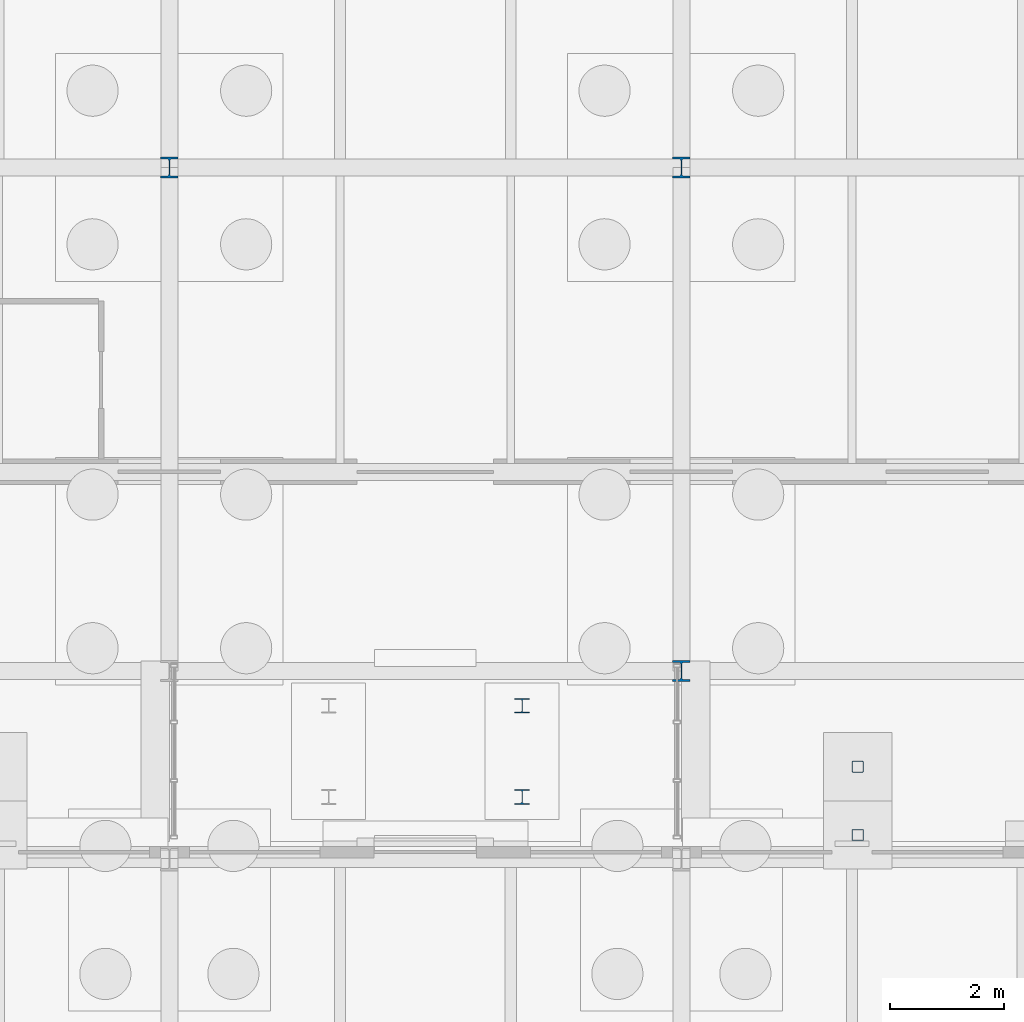
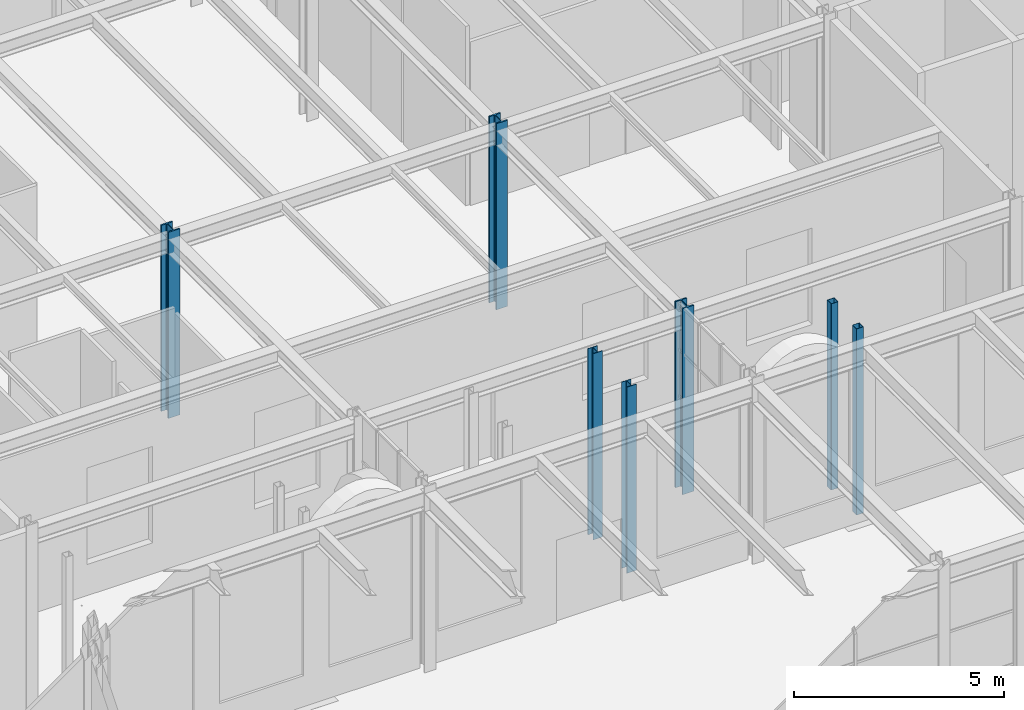
# One storey, part 21 of 126: 7 columns.
"""IFC4 building model written with IfcOpenShell, lengths in metres."""

import ifcopenshell
import ifcopenshell.guid

model = None  # the IFC model being written
_history = None  # IfcOwnerHistory: only IFC2X3 demands one
_inside = {}  # id of a spatial element -> (the spatial element, [elements in it])
_under = {}  # id of a project, library or spatial element -> (it, [spatial elements below it])
_declared = {}  # id of a project -> (the project, [libraries it declares])
_typed = {}  # id of a type object -> (the type object, [elements of that type])
_made_of = {}  # id of a material, layer set ... -> (it, [elements and type objects made of it])


def new_model(schema):
    """Start an empty IFC model of exactly this schema.

    Asked for "IFC4X3", IfcOpenShell would pick the latest addendum, in which some entities
    have other attributes; the version numbers below select the first issue.
    IFC2X3 requires an IfcOwnerHistory on every rooted entity: one is made here for all.
    """
    global model, _history
    if schema == "IFC4X3":
        model = ifcopenshell.file(schema_version=(4, 3, 0, 0))
    else:
        model = ifcopenshell.file(schema=schema)
    _inside.clear()
    _under.clear()
    _declared.clear()
    _typed.clear()
    _made_of.clear()
    _history = None
    if model.schema == "IFC2X3":
        org = make("IfcOrganization", Name="unknown")
        user = make(
            "IfcPersonAndOrganization",
            ThePerson=make("IfcPerson", FamilyName="unknown"),
            TheOrganization=org,
        )
        app = make(
            "IfcApplication",
            ApplicationDeveloper=org,
            Version="unknown",
            ApplicationFullName="unknown",
            ApplicationIdentifier="unknown",
        )
        _history = make(
            "IfcOwnerHistory",
            OwningUser=user,
            OwningApplication=app,
            ChangeAction="ADDED",
            CreationDate=0,
        )
    return model


def make(cls, **values):
    """One entity of the class cls with the attributes given. An attribute that is None is left unset."""
    return model.create_entity(
        cls, **{name: value for name, value in values.items() if value is not None}
    )


def rooted(cls, **values):
    """An entity with a GlobalId (a new one), such as an element, a storey or a relation."""
    return make(cls, GlobalId=ifcopenshell.guid.new(), OwnerHistory=_history, **values)


def si_unit(unit_type, name, prefix=None):
    """IfcSIUnit, for example si_unit("LENGTHUNIT", "METRE", prefix="MILLI")."""
    return make("IfcSIUnit", UnitType=unit_type, Prefix=prefix, Name=name)


def assignment(units):
    """IfcUnitAssignment: the units of a project."""
    return None if units is None else make("IfcUnitAssignment", Units=units)


def point(xyz):
    """IfcCartesianPoint."""
    return None if xyz is None else make("IfcCartesianPoint", Coordinates=xyz)


def direction(xyz):
    """IfcDirection."""
    return None if xyz is None else make("IfcDirection", DirectionRatios=xyz)


def frame(location, z_axis=None, x_axis=None):
    """IfcAxis2Placement3D, a coordinate frame: its origin and axes. An axis left out is left unset."""
    return make(
        "IfcAxis2Placement3D",
        Location=point(location),
        Axis=direction(z_axis),
        RefDirection=direction(x_axis),
    )


def frame_2d(location, x_axis=None):
    """IfcAxis2Placement2D, a coordinate frame in the plane: its origin and x axis."""
    return make(
        "IfcAxis2Placement2D", Location=point(location), RefDirection=direction(x_axis)
    )


def origin():
    """The frame at (0, 0, 0) with its axes left unset."""
    return frame((0.0, 0.0, 0.0))


def origin_2d():
    """The frame at (0, 0) in the plane with its x axis left unset."""
    return frame_2d((0.0, 0.0))


def place(relative_to, where):
    """IfcLocalPlacement: puts the frame where relative to a parent placement (None: the world)."""
    return make(
        "IfcLocalPlacement", PlacementRelTo=relative_to, RelativePlacement=where
    )


def context(
    kind, dimensions, precision=None, world=None, true_north=None, identifier=None
):
    """IfcGeometricRepresentationContext, for example the 3D "Model" context."""
    return make(
        "IfcGeometricRepresentationContext",
        ContextIdentifier=identifier,
        ContextType=kind,
        CoordinateSpaceDimension=dimensions,
        Precision=precision,
        WorldCoordinateSystem=world,
        TrueNorth=true_north,
    )


def subcontext(parent, identifier, kind, view, scale=None):
    """IfcGeometricRepresentationSubContext, for example "Body" below "Model"."""
    return make(
        "IfcGeometricRepresentationSubContext",
        ContextIdentifier=identifier,
        ContextType=kind,
        ParentContext=parent,
        TargetScale=scale,
        TargetView=view,
    )


def project(units=None, contexts=None):
    """IfcProject with its units and contexts."""
    return rooted(
        "IfcProject",
        Name="project",
        RepresentationContexts=contexts,
        UnitsInContext=assignment(units),
    )


def spatial(cls, under=None, at=None, **own):
    """A site, building, storey or space (cls), placed at a placement, below another one or the project."""
    s = rooted(cls, ObjectPlacement=at, **own)
    if under is not None:
        _under.setdefault(under.id(), (under, []))[1].append(s)
    return s


def profile(cls, at=None, kind="AREA", **sizes):
    """A parametric profile (cls). Its sizes go by their IFC names, for example OverallWidth=200.0."""
    return make(cls, ProfileType=kind, Position=at, **sizes)


def hollow_rectangle(**sizes):
    """IfcRectangleHollowProfileDef."""
    return profile("IfcRectangleHollowProfileDef", **sizes)


def i_section(**sizes):
    """IfcIShapeProfileDef."""
    return profile("IfcIShapeProfileDef", **sizes)


def extrude(swept, where, along, depth):
    """IfcExtrudedAreaSolid: the profile swept, set in the frame where, extruded along a direction by depth."""
    return make(
        "IfcExtrudedAreaSolid",
        SweptArea=swept,
        Position=where,
        ExtrudedDirection=direction(along),
        Depth=depth,
    )


def shape(context_of_items, identifier, shape_type, items):
    """IfcShapeRepresentation: the items that make up one representation, for example the "Body"."""
    return make(
        "IfcShapeRepresentation",
        ContextOfItems=context_of_items,
        RepresentationIdentifier=identifier,
        RepresentationType=shape_type,
        Items=items,
    )


def material(Name=None, Category=None):
    """IfcMaterial."""
    return make("IfcMaterial", Name=Name, Category=Category)


def material_profile(
    of_material, cross_section, Name=None, Category=None, Priority=None
):
    """IfcMaterialProfile: a cross section and its material."""
    return make(
        "IfcMaterialProfile",
        Name=Name,
        Material=of_material,
        Profile=cross_section,
        Priority=Priority,
        Category=Category,
    )


def profile_set(profiles, Name=None, composite=None):
    """IfcMaterialProfileSet."""
    return make(
        "IfcMaterialProfileSet",
        Name=Name,
        MaterialProfiles=profiles,
        CompositeProfile=composite,
    )


def made_of(thing, what):
    """Note that an element or type object is made of a material, layer set ...; save() writes the relation."""
    if what is not None:
        _made_of.setdefault(what.id(), (what, []))[1].append(thing)
    return thing


def type_object(cls, material=None, **own):
    """A type object (cls), such as IfcWallType, which elements share."""
    return made_of(rooted(cls, **own), material)


def element(
    cls,
    number,
    at=None,
    inside=None,
    cuts=None,
    type_object=None,
    material=None,
    context=None,
    identifier="Body",
    shape_type=None,
    held_by="IfcProductDefinitionShape",
    body=None,
    shapes=None,
    **own,
):
    """One element of the class cls, such as IfcWall. Its Tag is "e" and its number.

    at: its placement. inside: the storey or other place that contains it. cuts: it is an
    opening in that element (IfcRelVoidsElement). A single representation is given by context,
    identifier, shape_type and body (its items); several are given by shapes. held_by: the class
    of the entity that holds the representations. save() writes the other relations.
    """
    e = rooted(cls, Tag="e%d" % number, ObjectPlacement=at, **own)
    if body is not None:
        shapes = [shape(context, identifier, shape_type, body)]
    if shapes is not None:
        e.Representation = make(held_by, Representations=shapes)
    if inside is not None:
        _inside.setdefault(inside.id(), (inside, []))[1].append(e)
    if cuts is not None:
        rooted(
            "IfcRelVoidsElement", RelatingBuildingElement=cuts, RelatedOpeningElement=e
        )
    if type_object is not None:
        _typed.setdefault(type_object.id(), (type_object, []))[1].append(e)
    return made_of(e, material)


def aggregate(whole, parts):
    """IfcRelAggregates: a whole, such as a stair, and the parts it consists of."""
    return rooted("IfcRelAggregates", RelatingObject=whole, RelatedObjects=parts)


def save(model, path):
    """Write the relations noted so far, then the file.

    IfcRelAggregates (storeys below a building ...), IfcRelContainedInSpatialStructure (elements
    in a storey), IfcRelDefinesByType, IfcRelAssociatesMaterial and IfcRelDeclares: one each for
    every whole, place, type object, material and project.
    """
    for whole, parts in _under.values():
        aggregate(whole, parts)
    for where, things in _inside.values():
        rooted(
            "IfcRelContainedInSpatialStructure",
            RelatedElements=things,
            RelatingStructure=where,
        )
    for kind, things in _typed.values():
        rooted("IfcRelDefinesByType", RelatedObjects=things, RelatingType=kind)
    for what, things in _made_of.values():
        rooted("IfcRelAssociatesMaterial", RelatedObjects=things, RelatingMaterial=what)
    for by, libraries in _declared.values():
        rooted("IfcRelDeclares", RelatingContext=by, RelatedDefinitions=libraries)
    model.write(path)


model = new_model("IFC4")

# Units and contexts
model_context = context("Model", 3, precision=1e-05, world=origin(), true_north=direction((0.0, 1.0)))
body_context = subcontext(model_context, "Body", "Model", "MODEL_VIEW")
ifc_project = project(units=[si_unit("LENGTHUNIT", "METRE"), si_unit("AREAUNIT", "SQUARE_METRE"), si_unit("VOLUMEUNIT", "CUBIC_METRE"), si_unit("PLANEANGLEUNIT", "RADIAN"), si_unit("MASSUNIT", "GRAM", prefix="KILO")], contexts=[model_context])

# Site, building, storey
site_placement = place(None, origin())
site = spatial("IfcSite", under=ifc_project, at=site_placement, CompositionType="ELEMENT")
building_placement = place(site_placement, origin())
building = spatial("IfcBuilding", under=site, at=building_placement, Name="Kallimachos Central Library", CompositionType="ELEMENT")
storey_placement = place(building_placement, origin())
storey = spatial("IfcBuildingStorey", under=building, at=storey_placement, Name="L00", CompositionType="ELEMENT", Elevation=0.0)

# Columns
ifc_material_1 = material(Name="Steel S355J2", Category="steel")
ifc_material_profile_1 = material_profile(ifc_material_1, i_section(OverallWidth=0.260009765625, OverallDepth=0.260009765625, WebThickness=0.010009765625, FlangeThickness=0.017578125, FilletRadius=0.02392578125, at=origin_2d()), Name="HEB 260")
ifc_profile_set_1 = profile_set([ifc_material_profile_1], Name="Steel S355J2")
column_type_1 = type_object("IfcColumnType", Name="HEB 260 column", PredefinedType="COLUMN", material=ifc_profile_set_1)
for number, where, z_axis, x_axis, name in (
    (1, (89.699951171875, 84.9375, 0.0), (0.0, 0.0, 1.0), (1.0, 0.0, 0.0), "Reading Link column"),
    (2, (89.699951171875, 86.53759765625, 0.0), (0.0, 0.0, 1.0), (1.0, 0.0, 0.0), "Reading Link column"),
):
    element("IfcColumn", number, at=place(storey_placement, frame(where, z_axis=z_axis, x_axis=x_axis)), inside=storey, type_object=column_type_1, Name=name, PredefinedType="COLUMN", context=body_context, shape_type="SweptSolid", body=[
        extrude(i_section(OverallWidth=0.260009765625, OverallDepth=0.260009765625, WebThickness=0.010009765625, FlangeThickness=0.017578125, FilletRadius=0.02392578125, at=origin_2d()), origin(), (0.0, 0.0, 1.0), 5.39990234375),
    ])
ifc_material_2 = material(Name="Steel S355J2", Category="steel")
ifc_material_profile_2 = material_profile(ifc_material_2, i_section(OverallWidth=0.30908203125, OverallDepth=0.376953125, WebThickness=0.02099609375, FlangeThickness=0.0400390625, FilletRadius=0.027099609375, at=origin_2d()), Name="HEM 340")
ifc_profile_set_2 = profile_set([ifc_material_profile_2], Name="Steel S355J2")
column_type_2 = type_object("IfcColumnType", Name="HEM 340 column", PredefinedType="COLUMN", material=ifc_profile_set_2)
for number, where, z_axis, x_axis, name in (
    (3, (92.5, 87.14990234375, 0.0), (0.0, 0.0, 1.0), (1.0, 0.0, 0.0), "V1-COL-L00-004"),
    (4, (83.5, 96.0, 0.0), (0.0, 0.0, 1.0), (1.0, 0.0, 0.0), "V1-COL-L00-009"),
    (5, (92.5, 96.0, 0.0), (0.0, 0.0, 1.0), (1.0, 0.0, 0.0), "V1-COL-L00-010"),
):
    element("IfcColumn", number, at=place(storey_placement, frame(where, z_axis=z_axis, x_axis=x_axis)), inside=storey, type_object=column_type_2, Name=name, PredefinedType="COLUMN", context=body_context, shape_type="SweptSolid", body=[
        extrude(i_section(OverallWidth=0.30908203125, OverallDepth=0.376953125, WebThickness=0.02099609375, FlangeThickness=0.0400390625, FilletRadius=0.027099609375, at=origin_2d()), origin(), (0.0, 0.0, 1.0), 5.39990234375),
    ])
ifc_material_3 = material(Name="Steel S355J2H", Category="steel")
ifc_material_profile_3 = material_profile(ifc_material_3, hollow_rectangle(XDim=0.199951171875, YDim=0.199951171875, WallThickness=0.010009765625, InnerFilletRadius=0.010009765625, OuterFilletRadius=0.014892578125, at=origin_2d()), Name="SHS 200x200x10")
ifc_profile_set_3 = profile_set([ifc_material_profile_3], Name="Steel S355J2H")
column_type_3 = type_object("IfcColumnType", Name="SHS 200x200x10 column", PredefinedType="COLUMN", material=ifc_profile_set_3)
for number, where, z_axis, x_axis, name in (
    (6, (95.60009765625, 84.26611328125, 0.0), (0.0, 0.0, 1.0), (1.0, 0.0, 0.0), "Tribune bay N2 column 1"),
    (7, (95.60009765625, 85.466064453125, 0.0), (0.0, 0.0, 1.0), (1.0, 0.0, 0.0), "Tribune bay N2 column 3"),
):
    element("IfcColumn", number, at=place(storey_placement, frame(where, z_axis=z_axis, x_axis=x_axis)), inside=storey, type_object=column_type_3, Name=name, PredefinedType="COLUMN", context=body_context, shape_type="SweptSolid", body=[
        extrude(hollow_rectangle(XDim=0.199951171875, YDim=0.199951171875, WallThickness=0.010009765625, InnerFilletRadius=0.010009765625, OuterFilletRadius=0.014892578125, at=origin_2d()), origin(), (0.0, 0.0, 1.0), 5.39990234375),
    ])

save(model, "model.ifc")
